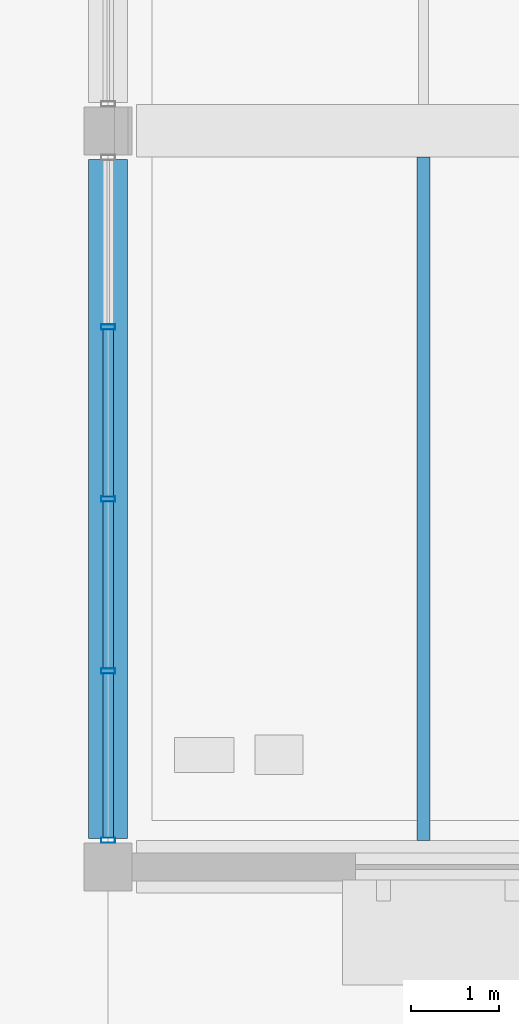
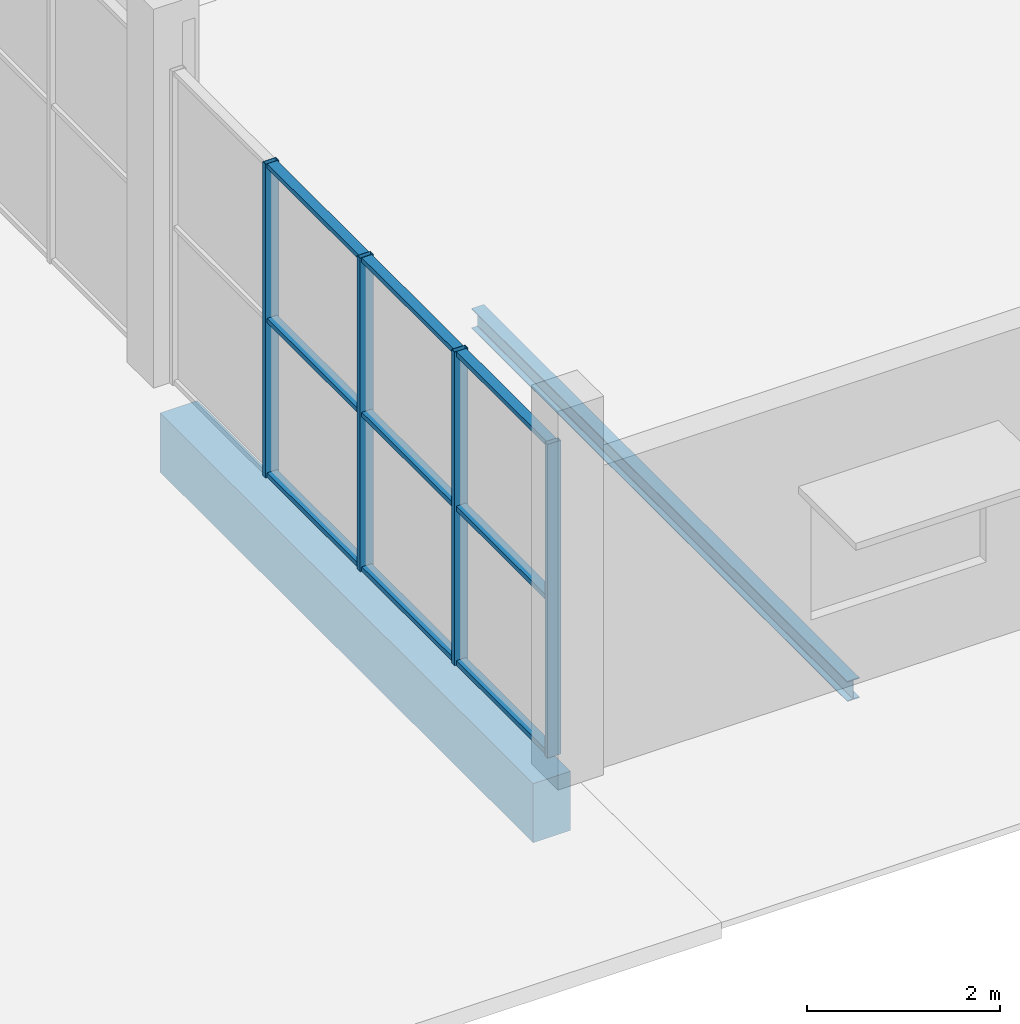
# One storey, part 28 of 130: 13 members, 2 beams, 1 element without a shape of its own.
"""IFC4 building model written with IfcOpenShell, lengths in metres."""

from ifc_helpers import new_model, si_unit, direction, frame, origin, origin_2d, place, context, subcontext, project, spatial, rectangle, hollow_rectangle, i_section, extrude, material, material_profile, profile_set, type_object, element, aggregate, save


model = new_model("IFC4")

# Units and contexts
model_context = context("Model", 3, precision=1e-05, world=origin(), true_north=direction((0.0, 1.0)))
body_context = subcontext(model_context, "Body", "Model", "MODEL_VIEW")
ifc_project = project(units=[si_unit("LENGTHUNIT", "METRE"), si_unit("AREAUNIT", "SQUARE_METRE"), si_unit("VOLUMEUNIT", "CUBIC_METRE"), si_unit("PLANEANGLEUNIT", "RADIAN"), si_unit("MASSUNIT", "GRAM", prefix="KILO"), si_unit("THERMODYNAMICTEMPERATUREUNIT", "KELVIN")], contexts=[model_context])

# Site, building, storey
site_placement = place(None, origin())
site = spatial("IfcSite", under=ifc_project, at=site_placement, CompositionType="ELEMENT")
building_placement = place(site_placement, origin())
building = spatial("IfcBuilding", under=site, at=building_placement, Name="Nduvali Passage Aquatics Centre", CompositionType="ELEMENT")
storey_placement = place(building_placement, origin())
storey = spatial("IfcBuildingStorey", under=building, at=storey_placement, Name="L00", CompositionType="ELEMENT", Elevation=0.0)

# Curtain wall, members
ifc_material_1 = material(Name="Aluminium EN AW-6063 T6", Category="aluminium")
curtain_wall_type = type_object("IfcCurtainWallType", Name="ENV-CW-COUR", PredefinedType="NOTDEFINED", material=ifc_material_1)
curtain_wall_placement = place(storey_placement, origin())
curtain_wall = element("IfcCurtainWall", 1, at=curtain_wall_placement, inside=storey, type_object=curtain_wall_type, Name="L00 Courtyard East Cloister CW 168", PredefinedType="NOTDEFINED")
ifc_material_profile_1 = material_profile(ifc_material_1, hollow_rectangle(XDim=0.06005859375, YDim=0.159912109375, WallThickness=0.00390625, at=origin_2d()), Name="ALU MULLION 60x160x4")
ifc_profile_set_1 = profile_set([ifc_material_profile_1], Name="Aluminium EN AW-6063 T6")
member_type_1 = type_object("IfcMemberType", Name="ENV-MEM-MUL60", PredefinedType="MULLION", material=ifc_profile_set_1)
member_1_placement = place(storey_placement, frame((97.199951171875, 0.304931640625, 0.0), z_axis=(0.0, 0.0, 1.0), x_axis=(0.0, 1.0, 0.0)))
member_1 = element("IfcMember", 2, at=member_1_placement, type_object=member_type_1, Name="Courtyard East Cloister CW Mullion 1", PredefinedType="MULLION", context=body_context, shape_type="SweptSolid", body=[
    extrude(hollow_rectangle(XDim=0.06005859375, YDim=0.159912109375, WallThickness=0.00390625, at=origin_2d()), origin(), (0.0, 0.0, 1.0), 3.976318359375),
])
member_2_placement = place(storey_placement, frame((97.199951171875, 2.237548828125, 0.0), z_axis=(0.0, 0.0, 1.0), x_axis=(0.0, 1.0, 0.0)))
member_2 = element("IfcMember", 3, at=member_2_placement, type_object=member_type_1, Name="Courtyard East Cloister CW Mullion 2", PredefinedType="MULLION", context=body_context, shape_type="SweptSolid", body=[
    extrude(hollow_rectangle(XDim=0.06005859375, YDim=0.159912109375, WallThickness=0.00390625, at=origin_2d()), origin(), (0.0, 0.0, 1.0), 3.976318359375),
])
member_3_placement = place(storey_placement, frame((97.199951171875, 4.199951171875, 0.0), z_axis=(0.0, 0.0, 1.0), x_axis=(0.0, 1.0, 0.0)))
member_3 = element("IfcMember", 4, at=member_3_placement, type_object=member_type_1, Name="Courtyard East Cloister CW Mullion 3", PredefinedType="MULLION", context=body_context, shape_type="SweptSolid", body=[
    extrude(hollow_rectangle(XDim=0.06005859375, YDim=0.159912109375, WallThickness=0.00390625, at=origin_2d()), origin(), (0.0, 0.0, 1.0), 3.976318359375),
])
member_4_placement = place(storey_placement, frame((97.199951171875, 6.16259765625, 0.0), z_axis=(0.0, 0.0, 1.0), x_axis=(0.0, 1.0, 0.0)))
member_4 = element("IfcMember", 5, at=member_4_placement, type_object=member_type_1, Name="Courtyard East Cloister CW Mullion 4", PredefinedType="MULLION", context=body_context, shape_type="SweptSolid", body=[
    extrude(hollow_rectangle(XDim=0.06005859375, YDim=0.159912109375, WallThickness=0.00390625, at=origin_2d()), origin(), (0.0, 0.0, 1.0), 3.976318359375),
])
ifc_material_profile_2 = material_profile(ifc_material_1, hollow_rectangle(XDim=0.1201171875, YDim=0.06005859375, WallThickness=0.00390625, at=origin_2d()), Name="ALU TRANSOM 120x60x4")
ifc_profile_set_2 = profile_set([ifc_material_profile_2], Name="Aluminium EN AW-6063 T6")
member_type_2 = type_object("IfcMemberType", Name="ENV-MEM-TRN60", PredefinedType="USERDEFINED", material=ifc_profile_set_2)
member_5_placement = place(storey_placement, frame((97.199951171875, 0.3349609375, 0.030029296875), z_axis=(0.0, 1.0, 0.0), x_axis=(-1.0, 0.0, 0.0)))
member_5 = element("IfcMember", 6, at=member_5_placement, type_object=member_type_2, Name="Courtyard East Cloister CW Transom B1-R0", ObjectType="TRANSOM", PredefinedType="USERDEFINED", context=body_context, shape_type="SweptSolid", body=[
    extrude(hollow_rectangle(XDim=0.1201171875, YDim=0.06005859375, WallThickness=0.00390625, at=origin_2d()), origin(), (0.0, 0.0, 1.0), 1.87255859375),
])
member_6_placement = place(storey_placement, frame((97.199951171875, 0.3349609375, 1.98828125), z_axis=(0.0, 1.0, 0.0), x_axis=(-1.0, 0.0, 0.0)))
member_6 = element("IfcMember", 7, at=member_6_placement, type_object=member_type_2, Name="Courtyard East Cloister CW Transom B1-R1", ObjectType="TRANSOM", PredefinedType="USERDEFINED", context=body_context, shape_type="SweptSolid", body=[
    extrude(hollow_rectangle(XDim=0.1201171875, YDim=0.06005859375, WallThickness=0.00390625, at=origin_2d()), origin(), (0.0, 0.0, 1.0), 1.87255859375),
])
member_7_placement = place(storey_placement, frame((97.199951171875, 0.3349609375, 3.9462890625), z_axis=(0.0, 1.0, 0.0), x_axis=(-1.0, 0.0, 0.0)))
member_7 = element("IfcMember", 8, at=member_7_placement, type_object=member_type_2, Name="Courtyard East Cloister CW Transom B1-R2", ObjectType="TRANSOM", PredefinedType="USERDEFINED", context=body_context, shape_type="SweptSolid", body=[
    extrude(hollow_rectangle(XDim=0.1201171875, YDim=0.06005859375, WallThickness=0.00390625, at=origin_2d()), origin(), (0.0, 0.0, 1.0), 1.87255859375),
])
member_8_placement = place(storey_placement, frame((97.199951171875, 2.267578125, 0.030029296875), z_axis=(0.0, 1.0, 0.0), x_axis=(-1.0, 0.0, 0.0)))
member_8 = element("IfcMember", 9, at=member_8_placement, type_object=member_type_2, Name="Courtyard East Cloister CW Transom B2-R0", ObjectType="TRANSOM", PredefinedType="USERDEFINED", context=body_context, shape_type="SweptSolid", body=[
    extrude(hollow_rectangle(XDim=0.1201171875, YDim=0.06005859375, WallThickness=0.00390625, at=origin_2d()), origin(), (0.0, 0.0, 1.0), 1.90234375),
])
member_9_placement = place(storey_placement, frame((97.199951171875, 2.267578125, 1.98828125), z_axis=(0.0, 1.0, 0.0), x_axis=(-1.0, 0.0, 0.0)))
member_9 = element("IfcMember", 10, at=member_9_placement, type_object=member_type_2, Name="Courtyard East Cloister CW Transom B2-R1", ObjectType="TRANSOM", PredefinedType="USERDEFINED", context=body_context, shape_type="SweptSolid", body=[
    extrude(hollow_rectangle(XDim=0.1201171875, YDim=0.06005859375, WallThickness=0.00390625, at=origin_2d()), origin(), (0.0, 0.0, 1.0), 1.90234375),
])
member_10_placement = place(storey_placement, frame((97.199951171875, 2.267578125, 3.9462890625), z_axis=(0.0, 1.0, 0.0), x_axis=(-1.0, 0.0, 0.0)))
member_10 = element("IfcMember", 11, at=member_10_placement, type_object=member_type_2, Name="Courtyard East Cloister CW Transom B2-R2", ObjectType="TRANSOM", PredefinedType="USERDEFINED", context=body_context, shape_type="SweptSolid", body=[
    extrude(hollow_rectangle(XDim=0.1201171875, YDim=0.06005859375, WallThickness=0.00390625, at=origin_2d()), origin(), (0.0, 0.0, 1.0), 1.90234375),
])
member_11_placement = place(storey_placement, frame((97.199951171875, 4.22998046875, 0.030029296875), z_axis=(0.0, 1.0, 0.0), x_axis=(-1.0, 0.0, 0.0)))
member_11 = element("IfcMember", 12, at=member_11_placement, type_object=member_type_2, Name="Courtyard East Cloister CW Transom B3-R0", ObjectType="TRANSOM", PredefinedType="USERDEFINED", context=body_context, shape_type="SweptSolid", body=[
    extrude(hollow_rectangle(XDim=0.1201171875, YDim=0.06005859375, WallThickness=0.00390625, at=origin_2d()), origin(), (0.0, 0.0, 1.0), 1.902587890625),
])
member_12_placement = place(storey_placement, frame((97.199951171875, 4.22998046875, 1.98828125), z_axis=(0.0, 1.0, 0.0), x_axis=(-1.0, 0.0, 0.0)))
member_12 = element("IfcMember", 13, at=member_12_placement, type_object=member_type_2, Name="Courtyard East Cloister CW Transom B3-R1", ObjectType="TRANSOM", PredefinedType="USERDEFINED", context=body_context, shape_type="SweptSolid", body=[
    extrude(hollow_rectangle(XDim=0.1201171875, YDim=0.06005859375, WallThickness=0.00390625, at=origin_2d()), origin(), (0.0, 0.0, 1.0), 1.902587890625),
])
member_13_placement = place(storey_placement, frame((97.199951171875, 4.22998046875, 3.9462890625), z_axis=(0.0, 1.0, 0.0), x_axis=(-1.0, 0.0, 0.0)))
member_13 = element("IfcMember", 14, at=member_13_placement, type_object=member_type_2, Name="Courtyard East Cloister CW Transom B3-R2", ObjectType="TRANSOM", PredefinedType="USERDEFINED", context=body_context, shape_type="SweptSolid", body=[
    extrude(hollow_rectangle(XDim=0.1201171875, YDim=0.06005859375, WallThickness=0.00390625, at=origin_2d()), origin(), (0.0, 0.0, 1.0), 1.902587890625),
])
aggregate(curtain_wall, [member_1, member_2, member_3, member_4, member_5, member_6, member_7, member_8, member_9, member_10, member_11, member_12, member_13])

# Beams
ifc_material_2 = material(Name="Concrete C40/50", Category="concrete")
ifc_material_profile_3 = material_profile(ifc_material_2, rectangle(XDim=0.449951171875, YDim=0.75, at=origin_2d()), Name="RC 450x750")
ifc_profile_set_3 = profile_set([ifc_material_profile_3], Name="Concrete C40/50")
beam_type_1 = type_object("IfcBeamType", Name="STR-BM-RC4575", PredefinedType="BEAM", material=ifc_profile_set_3)
beam_1_placement = place(storey_placement, frame((97.199951171875, 0.324951171875, -0.675048828125), z_axis=(0.0, 1.0, 0.0), x_axis=(-1.0, 0.0, 0.0)))
element("IfcBeam", 15, at=beam_1_placement, inside=storey, type_object=beam_type_1, Name="L00 Primary Y-Girder B3-0169", PredefinedType="BEAM", context=body_context, shape_type="SweptSolid", body=[
    extrude(rectangle(XDim=0.449951171875, YDim=0.75, at=origin_2d()), origin(), (0.0, 0.0, 1.0), 7.75),
])
ifc_material_3 = material(Name="Steel S355", Category="steel")
ifc_material_profile_4 = material_profile(ifc_material_3, i_section(OverallWidth=0.146484375, OverallDepth=0.256103515625, WebThickness=0.00634765625, FlangeThickness=0.010986328125, FilletRadius=0.007568359375, at=origin_2d()), Name="UKB 254x146x37")
ifc_profile_set_4 = profile_set([ifc_material_profile_4], Name="Steel S355")
beam_type_2 = type_object("IfcBeamType", Name="STR-JST-UKB254", PredefinedType="JOIST", material=ifc_profile_set_4)
beam_2_placement = place(storey_placement, frame((100.800048828125, 0.300048828125, -0.431884765625), z_axis=(0.0, 1.0, 0.0), x_axis=(-1.0, 0.0, 0.0)))
element("IfcBeam", 16, at=beam_2_placement, inside=storey, type_object=beam_type_2, Name="L00 Secondary Joist J4-0261", PredefinedType="JOIST", context=body_context, shape_type="SweptSolid", body=[
    extrude(i_section(OverallWidth=0.146484375, OverallDepth=0.256103515625, WebThickness=0.00634765625, FlangeThickness=0.010986328125, FilletRadius=0.007568359375, at=origin_2d()), origin(), (0.0, 0.0, 1.0), 7.800048828125),
])

save(model, "model.ifc")
